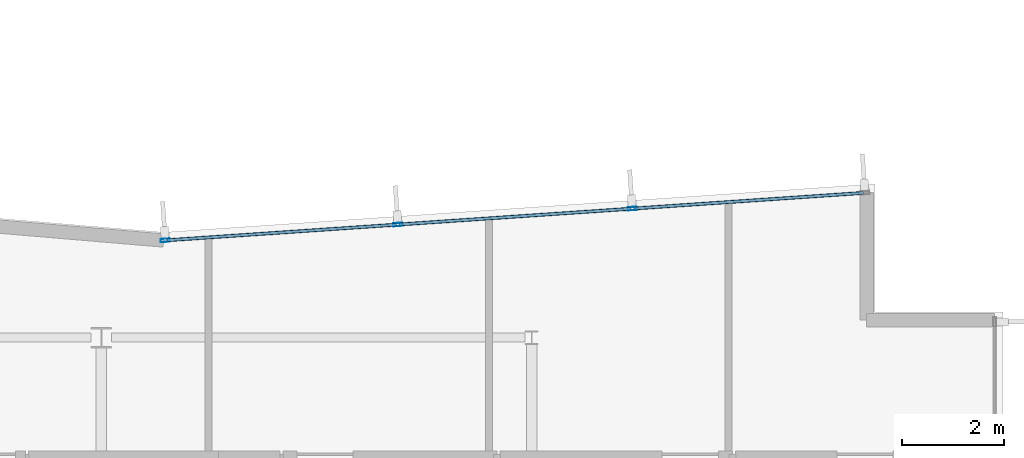
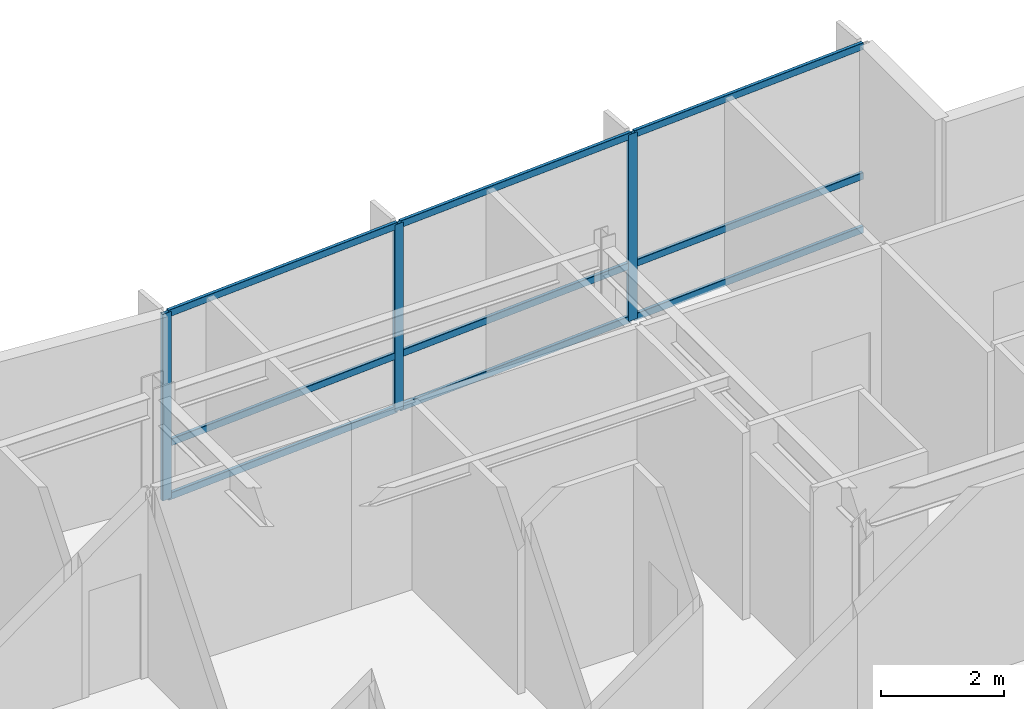
# One storey, part 7 of 17: 12 members, 1 element without a shape of its own.
"""IFC4 building model written with IfcOpenShell, lengths in metres."""

from ifc_helpers import new_model, si_unit, direction, frame, origin, origin_2d, place, context, subcontext, project, spatial, hollow_rectangle, extrude, material, layer, layer_set, material_profile, profile_set, type_object, element, aggregate, save


model = new_model("IFC4")

# Units and contexts
model_context = context("Model", 3, precision=1e-05, world=origin(), true_north=direction((0.0, 1.0)))
body_context = subcontext(model_context, "Body", "Model", "MODEL_VIEW")
ifc_project = project(units=[si_unit("LENGTHUNIT", "METRE"), si_unit("AREAUNIT", "SQUARE_METRE"), si_unit("VOLUMEUNIT", "CUBIC_METRE"), si_unit("PLANEANGLEUNIT", "RADIAN"), si_unit("MASSUNIT", "GRAM", prefix="KILO")], contexts=[model_context])

# Site, building, storey
site_placement = place(None, origin())
site = spatial("IfcSite", under=ifc_project, at=site_placement, CompositionType="ELEMENT")
building_placement = place(site_placement, origin())
building = spatial("IfcBuilding", under=site, at=building_placement, Name="Varnakote Quay Hospital", CompositionType="ELEMENT")
storey_placement = place(building_placement, frame((0.0, 0.0, 219.75)))
storey = spatial("IfcBuildingStorey", under=building, at=storey_placement, Name="L54", CompositionType="ELEMENT", Elevation=219.75)

# Curtain wall, members
ifc_material_1 = material(Name="Anodised aluminium 6063-T6 Bronze", Category="aluminium")
ifc_layer = layer(ifc_material_1, 0.219970703125)
ifc_layer_set = layer_set([ifc_layer], Name="Anodised aluminium 6063-T6 Bronze")
curtain_wall_type = type_object("IfcCurtainWallType", Name="CW-SYS-4", PredefinedType="NOTDEFINED", material=ifc_layer_set)
curtain_wall_placement = place(storey_placement, origin())
curtain_wall = element("IfcCurtainWall", 1, at=curtain_wall_placement, inside=storey, type_object=curtain_wall_type, Name="L54 Unitised Bronze Curtain Wall 2", PredefinedType="NOTDEFINED")
ifc_material_2 = material(Name="Anodised aluminium 6063-T6 Bronze", Category="aluminium")
ifc_material_profile_1 = material_profile(ifc_material_2, hollow_rectangle(XDim=0.06494140625, YDim=0.179931640625, WallThickness=0.00390625, InnerFilletRadius=0.00390625, OuterFilletRadius=0.008056640625, at=origin_2d()), Name="CW-MULL-180x65")
ifc_profile_set_1 = profile_set([ifc_material_profile_1], Name="Anodised aluminium 6063-T6 Bronze")
member_type_1 = type_object("IfcMemberType", Name="CW-MULL-180x65", PredefinedType="MULLION", material=ifc_profile_set_1)
member_1_placement = place(storey_placement, frame((43.96484375, 31.317626953125, 0.0), z_axis=(0.0, 0.0, 1.0), x_axis=(0.067841851077, -0.997696087615, 0.0)))
member_1 = element("IfcMember", 2, at=member_1_placement, type_object=member_type_1, Name="-4-L54-2 mullion 2", PredefinedType="MULLION", context=body_context, shape_type="SweptSolid", body=[
    extrude(hollow_rectangle(XDim=0.06494140625, YDim=0.179931640625, WallThickness=0.00390625, InnerFilletRadius=0.00390625, OuterFilletRadius=0.008056640625, at=origin_2d()), origin(), (0.0, 0.0, 1.0), 3.7099609375),
])
member_2_placement = place(storey_placement, frame((39.389892578125, 31.006591796875, 0.0), z_axis=(0.0, 0.0, 1.0), x_axis=(0.067841851077, -0.997696087615, 0.0)))
member_2 = element("IfcMember", 3, at=member_2_placement, type_object=member_type_1, Name="-4-L54-2 mullion 3", PredefinedType="MULLION", context=body_context, shape_type="SweptSolid", body=[
    extrude(hollow_rectangle(XDim=0.06494140625, YDim=0.179931640625, WallThickness=0.00390625, InnerFilletRadius=0.00390625, OuterFilletRadius=0.008056640625, at=origin_2d()), origin(), (0.0, 0.0, 1.0), 3.7099609375),
])
member_3_placement = place(storey_placement, frame((34.84716796875, 30.69775390625, 0.0), z_axis=(0.0, 0.0, 1.0), x_axis=(0.067841851077, -0.997696087615, 0.0)))
member_3 = element("IfcMember", 4, at=member_3_placement, type_object=member_type_1, Name="-4-L54-2 mullion 4", PredefinedType="MULLION", context=body_context, shape_type="SweptSolid", body=[
    extrude(hollow_rectangle(XDim=0.06494140625, YDim=0.179931640625, WallThickness=0.00390625, InnerFilletRadius=0.00390625, OuterFilletRadius=0.008056640625, at=origin_2d()), origin(), (0.0, 0.0, 1.0), 3.7099609375),
])
ifc_material_3 = material(Name="Anodised aluminium 6063-T6 Bronze", Category="aluminium")
ifc_material_profile_2 = material_profile(ifc_material_3, hollow_rectangle(XDim=0.06494140625, YDim=0.139892578125, WallThickness=0.00390625, InnerFilletRadius=0.00390625, OuterFilletRadius=0.007568359375, at=origin_2d()), Name="CW-TRAN-140x65")
ifc_profile_set_2 = profile_set([ifc_material_profile_2], Name="Anodised aluminium 6063-T6 Bronze")
member_type_2 = type_object("IfcMemberType", Name="CW-TRAN-140x65", PredefinedType="USERDEFINED", material=ifc_profile_set_2)
member_4_placement = place(storey_placement, frame((48.47509765625, 31.62451171875, 0.032470703125), z_axis=(-0.997692996523, -0.067887294022, 0.0), x_axis=(0.067887294022, -0.997692996523, 0.0)))
member_4 = element("IfcMember", 5, at=member_4_placement, type_object=member_type_2, Name="-4-L54-2 transom 1.1", ObjectType="TRANSOM", PredefinedType="USERDEFINED", context=body_context, shape_type="SweptSolid", body=[
    extrude(hollow_rectangle(XDim=0.06494140625, YDim=0.139892578125, WallThickness=0.00390625, InnerFilletRadius=0.00390625, OuterFilletRadius=0.007568359375, at=origin_2d()), origin(), (0.0, 0.0, 1.0), 4.488037109375),
])
member_5_placement = place(storey_placement, frame((48.47509765625, 31.62451171875, 1.10009765625), z_axis=(-0.997692996523, -0.067887294022, 0.0), x_axis=(0.067887294022, -0.997692996523, 0.0)))
member_5 = element("IfcMember", 6, at=member_5_placement, type_object=member_type_2, Name="-4-L54-2 transom 1.2", ObjectType="TRANSOM", PredefinedType="USERDEFINED", context=body_context, shape_type="SweptSolid", body=[
    extrude(hollow_rectangle(XDim=0.06494140625, YDim=0.139892578125, WallThickness=0.00390625, InnerFilletRadius=0.00390625, OuterFilletRadius=0.007568359375, at=origin_2d()), origin(), (0.0, 0.0, 1.0), 4.488037109375),
])
member_6_placement = place(storey_placement, frame((48.47509765625, 31.62451171875, 3.677490234375), z_axis=(-0.997692996523, -0.067887294022, 0.0), x_axis=(0.067887294022, -0.997692996523, 0.0)))
member_6 = element("IfcMember", 7, at=member_6_placement, type_object=member_type_2, Name="-4-L54-2 transom 1.3", ObjectType="TRANSOM", PredefinedType="USERDEFINED", context=body_context, shape_type="SweptSolid", body=[
    extrude(hollow_rectangle(XDim=0.06494140625, YDim=0.139892578125, WallThickness=0.00390625, InnerFilletRadius=0.00390625, OuterFilletRadius=0.007568359375, at=origin_2d()), origin(), (0.0, 0.0, 1.0), 4.488037109375),
])
member_7_placement = place(storey_placement, frame((43.932373046875, 31.3154296875, 0.032470703125), z_axis=(-0.997696835235, -0.06783085553, 0.0), x_axis=(0.06783085553, -0.997696835235, 0.0)))
member_7 = element("IfcMember", 8, at=member_7_placement, type_object=member_type_2, Name="-4-L54-2 transom 2.1", ObjectType="TRANSOM", PredefinedType="USERDEFINED", context=body_context, shape_type="SweptSolid", body=[
    extrude(hollow_rectangle(XDim=0.06494140625, YDim=0.139892578125, WallThickness=0.00390625, InnerFilletRadius=0.00390625, OuterFilletRadius=0.007568359375, at=origin_2d()), origin(), (0.0, 0.0, 1.0), 4.520751953125),
])
member_8_placement = place(storey_placement, frame((43.932373046875, 31.3154296875, 1.10009765625), z_axis=(-0.997696835235, -0.06783085553, 0.0), x_axis=(0.06783085553, -0.997696835235, 0.0)))
member_8 = element("IfcMember", 9, at=member_8_placement, type_object=member_type_2, Name="-4-L54-2 transom 2.2", ObjectType="TRANSOM", PredefinedType="USERDEFINED", context=body_context, shape_type="SweptSolid", body=[
    extrude(hollow_rectangle(XDim=0.06494140625, YDim=0.139892578125, WallThickness=0.00390625, InnerFilletRadius=0.00390625, OuterFilletRadius=0.007568359375, at=origin_2d()), origin(), (0.0, 0.0, 1.0), 4.520751953125),
])
member_9_placement = place(storey_placement, frame((43.932373046875, 31.3154296875, 3.677490234375), z_axis=(-0.997696835235, -0.06783085553, 0.0), x_axis=(0.06783085553, -0.997696835235, 0.0)))
member_9 = element("IfcMember", 10, at=member_9_placement, type_object=member_type_2, Name="-4-L54-2 transom 2.3", ObjectType="TRANSOM", PredefinedType="USERDEFINED", context=body_context, shape_type="SweptSolid", body=[
    extrude(hollow_rectangle(XDim=0.06494140625, YDim=0.139892578125, WallThickness=0.00390625, InnerFilletRadius=0.00390625, OuterFilletRadius=0.007568359375, at=origin_2d()), origin(), (0.0, 0.0, 1.0), 4.520751953125),
])
member_10_placement = place(storey_placement, frame((39.357421875, 31.00439453125, 0.032470703125), z_axis=(-0.997696679404, -0.06783314755, 0.0), x_axis=(0.06783314755, -0.997696679404, 0.0)))
member_10 = element("IfcMember", 11, at=member_10_placement, type_object=member_type_2, Name="-4-L54-2 transom 3.1", ObjectType="TRANSOM", PredefinedType="USERDEFINED", context=body_context, shape_type="SweptSolid", body=[
    extrude(hollow_rectangle(XDim=0.06494140625, YDim=0.139892578125, WallThickness=0.00390625, InnerFilletRadius=0.00390625, OuterFilletRadius=0.007568359375, at=origin_2d()), origin(), (0.0, 0.0, 1.0), 4.488037109375),
])
member_11_placement = place(storey_placement, frame((39.357421875, 31.00439453125, 1.10009765625), z_axis=(-0.997696679404, -0.06783314755, 0.0), x_axis=(0.06783314755, -0.997696679404, 0.0)))
member_11 = element("IfcMember", 12, at=member_11_placement, type_object=member_type_2, Name="-4-L54-2 transom 3.2", ObjectType="TRANSOM", PredefinedType="USERDEFINED", context=body_context, shape_type="SweptSolid", body=[
    extrude(hollow_rectangle(XDim=0.06494140625, YDim=0.139892578125, WallThickness=0.00390625, InnerFilletRadius=0.00390625, OuterFilletRadius=0.007568359375, at=origin_2d()), origin(), (0.0, 0.0, 1.0), 4.488037109375),
])
member_12_placement = place(storey_placement, frame((39.357421875, 31.00439453125, 3.677490234375), z_axis=(-0.997696679404, -0.06783314755, 0.0), x_axis=(0.06783314755, -0.997696679404, 0.0)))
member_12 = element("IfcMember", 13, at=member_12_placement, type_object=member_type_2, Name="-4-L54-2 transom 3.3", ObjectType="TRANSOM", PredefinedType="USERDEFINED", context=body_context, shape_type="SweptSolid", body=[
    extrude(hollow_rectangle(XDim=0.06494140625, YDim=0.139892578125, WallThickness=0.00390625, InnerFilletRadius=0.00390625, OuterFilletRadius=0.007568359375, at=origin_2d()), origin(), (0.0, 0.0, 1.0), 4.488037109375),
])
aggregate(curtain_wall, [member_1, member_2, member_3, member_4, member_5, member_6, member_7, member_8, member_9, member_10, member_11, member_12])

save(model, "model.ifc")
